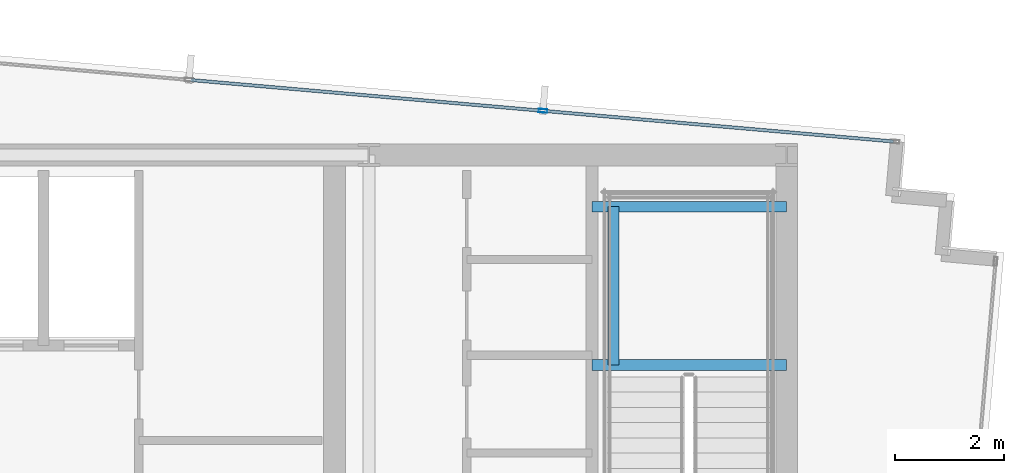
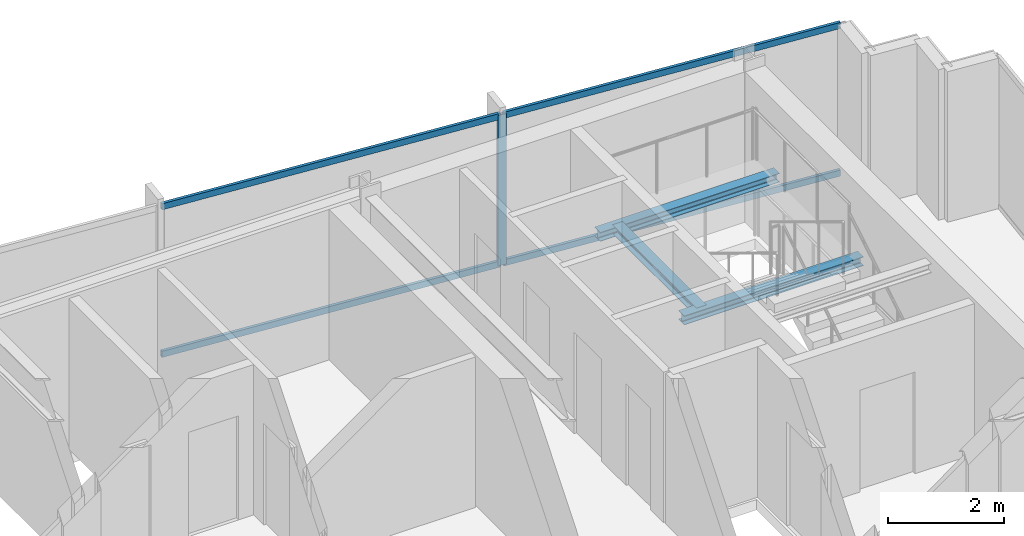
# One storey, part 20 of 32: 5 members, 3 beams, 1 element without a shape of its own.
"""IFC4 building model written with IfcOpenShell, lengths in metres."""

import ifcopenshell
import ifcopenshell.guid

model = None  # the IFC model being written
_history = None  # IfcOwnerHistory: only IFC2X3 demands one
_inside = {}  # id of a spatial element -> (the spatial element, [elements in it])
_under = {}  # id of a project, library or spatial element -> (it, [spatial elements below it])
_declared = {}  # id of a project -> (the project, [libraries it declares])
_typed = {}  # id of a type object -> (the type object, [elements of that type])
_made_of = {}  # id of a material, layer set ... -> (it, [elements and type objects made of it])


def new_model(schema):
    """Start an empty IFC model of exactly this schema.

    Asked for "IFC4X3", IfcOpenShell would pick the latest addendum, in which some entities
    have other attributes; the version numbers below select the first issue.
    IFC2X3 requires an IfcOwnerHistory on every rooted entity: one is made here for all.
    """
    global model, _history
    if schema == "IFC4X3":
        model = ifcopenshell.file(schema_version=(4, 3, 0, 0))
    else:
        model = ifcopenshell.file(schema=schema)
    _inside.clear()
    _under.clear()
    _declared.clear()
    _typed.clear()
    _made_of.clear()
    _history = None
    if model.schema == "IFC2X3":
        org = make("IfcOrganization", Name="unknown")
        user = make(
            "IfcPersonAndOrganization",
            ThePerson=make("IfcPerson", FamilyName="unknown"),
            TheOrganization=org,
        )
        app = make(
            "IfcApplication",
            ApplicationDeveloper=org,
            Version="unknown",
            ApplicationFullName="unknown",
            ApplicationIdentifier="unknown",
        )
        _history = make(
            "IfcOwnerHistory",
            OwningUser=user,
            OwningApplication=app,
            ChangeAction="ADDED",
            CreationDate=0,
        )
    return model


def make(cls, **values):
    """One entity of the class cls with the attributes given. An attribute that is None is left unset."""
    return model.create_entity(
        cls, **{name: value for name, value in values.items() if value is not None}
    )


def rooted(cls, **values):
    """An entity with a GlobalId (a new one), such as an element, a storey or a relation."""
    return make(cls, GlobalId=ifcopenshell.guid.new(), OwnerHistory=_history, **values)


def si_unit(unit_type, name, prefix=None):
    """IfcSIUnit, for example si_unit("LENGTHUNIT", "METRE", prefix="MILLI")."""
    return make("IfcSIUnit", UnitType=unit_type, Prefix=prefix, Name=name)


def assignment(units):
    """IfcUnitAssignment: the units of a project."""
    return None if units is None else make("IfcUnitAssignment", Units=units)


def point(xyz):
    """IfcCartesianPoint."""
    return None if xyz is None else make("IfcCartesianPoint", Coordinates=xyz)


def direction(xyz):
    """IfcDirection."""
    return None if xyz is None else make("IfcDirection", DirectionRatios=xyz)


def frame(location, z_axis=None, x_axis=None):
    """IfcAxis2Placement3D, a coordinate frame: its origin and axes. An axis left out is left unset."""
    return make(
        "IfcAxis2Placement3D",
        Location=point(location),
        Axis=direction(z_axis),
        RefDirection=direction(x_axis),
    )


def frame_2d(location, x_axis=None):
    """IfcAxis2Placement2D, a coordinate frame in the plane: its origin and x axis."""
    return make(
        "IfcAxis2Placement2D", Location=point(location), RefDirection=direction(x_axis)
    )


def origin():
    """The frame at (0, 0, 0) with its axes left unset."""
    return frame((0.0, 0.0, 0.0))


def origin_2d():
    """The frame at (0, 0) in the plane with its x axis left unset."""
    return frame_2d((0.0, 0.0))


def place(relative_to, where):
    """IfcLocalPlacement: puts the frame where relative to a parent placement (None: the world)."""
    return make(
        "IfcLocalPlacement", PlacementRelTo=relative_to, RelativePlacement=where
    )


def context(
    kind, dimensions, precision=None, world=None, true_north=None, identifier=None
):
    """IfcGeometricRepresentationContext, for example the 3D "Model" context."""
    return make(
        "IfcGeometricRepresentationContext",
        ContextIdentifier=identifier,
        ContextType=kind,
        CoordinateSpaceDimension=dimensions,
        Precision=precision,
        WorldCoordinateSystem=world,
        TrueNorth=true_north,
    )


def subcontext(parent, identifier, kind, view, scale=None):
    """IfcGeometricRepresentationSubContext, for example "Body" below "Model"."""
    return make(
        "IfcGeometricRepresentationSubContext",
        ContextIdentifier=identifier,
        ContextType=kind,
        ParentContext=parent,
        TargetScale=scale,
        TargetView=view,
    )


def project(units=None, contexts=None):
    """IfcProject with its units and contexts."""
    return rooted(
        "IfcProject",
        Name="project",
        RepresentationContexts=contexts,
        UnitsInContext=assignment(units),
    )


def spatial(cls, under=None, at=None, **own):
    """A site, building, storey or space (cls), placed at a placement, below another one or the project."""
    s = rooted(cls, ObjectPlacement=at, **own)
    if under is not None:
        _under.setdefault(under.id(), (under, []))[1].append(s)
    return s


def profile(cls, at=None, kind="AREA", **sizes):
    """A parametric profile (cls). Its sizes go by their IFC names, for example OverallWidth=200.0."""
    return make(cls, ProfileType=kind, Position=at, **sizes)


def hollow_rectangle(**sizes):
    """IfcRectangleHollowProfileDef."""
    return profile("IfcRectangleHollowProfileDef", **sizes)


def i_section(**sizes):
    """IfcIShapeProfileDef."""
    return profile("IfcIShapeProfileDef", **sizes)


def extrude(swept, where, along, depth):
    """IfcExtrudedAreaSolid: the profile swept, set in the frame where, extruded along a direction by depth."""
    return make(
        "IfcExtrudedAreaSolid",
        SweptArea=swept,
        Position=where,
        ExtrudedDirection=direction(along),
        Depth=depth,
    )


def shape(context_of_items, identifier, shape_type, items):
    """IfcShapeRepresentation: the items that make up one representation, for example the "Body"."""
    return make(
        "IfcShapeRepresentation",
        ContextOfItems=context_of_items,
        RepresentationIdentifier=identifier,
        RepresentationType=shape_type,
        Items=items,
    )


def material(Name=None, Category=None):
    """IfcMaterial."""
    return make("IfcMaterial", Name=Name, Category=Category)


def material_profile(
    of_material, cross_section, Name=None, Category=None, Priority=None
):
    """IfcMaterialProfile: a cross section and its material."""
    return make(
        "IfcMaterialProfile",
        Name=Name,
        Material=of_material,
        Profile=cross_section,
        Priority=Priority,
        Category=Category,
    )


def profile_set(profiles, Name=None, composite=None):
    """IfcMaterialProfileSet."""
    return make(
        "IfcMaterialProfileSet",
        Name=Name,
        MaterialProfiles=profiles,
        CompositeProfile=composite,
    )


def made_of(thing, what):
    """Note that an element or type object is made of a material, layer set ...; save() writes the relation."""
    if what is not None:
        _made_of.setdefault(what.id(), (what, []))[1].append(thing)
    return thing


def type_object(cls, material=None, **own):
    """A type object (cls), such as IfcWallType, which elements share."""
    return made_of(rooted(cls, **own), material)


def element(
    cls,
    number,
    at=None,
    inside=None,
    cuts=None,
    type_object=None,
    material=None,
    context=None,
    identifier="Body",
    shape_type=None,
    held_by="IfcProductDefinitionShape",
    body=None,
    shapes=None,
    **own,
):
    """One element of the class cls, such as IfcWall. Its Tag is "e" and its number.

    at: its placement. inside: the storey or other place that contains it. cuts: it is an
    opening in that element (IfcRelVoidsElement). A single representation is given by context,
    identifier, shape_type and body (its items); several are given by shapes. held_by: the class
    of the entity that holds the representations. save() writes the other relations.
    """
    e = rooted(cls, Tag="e%d" % number, ObjectPlacement=at, **own)
    if body is not None:
        shapes = [shape(context, identifier, shape_type, body)]
    if shapes is not None:
        e.Representation = make(held_by, Representations=shapes)
    if inside is not None:
        _inside.setdefault(inside.id(), (inside, []))[1].append(e)
    if cuts is not None:
        rooted(
            "IfcRelVoidsElement", RelatingBuildingElement=cuts, RelatedOpeningElement=e
        )
    if type_object is not None:
        _typed.setdefault(type_object.id(), (type_object, []))[1].append(e)
    return made_of(e, material)


def aggregate(whole, parts):
    """IfcRelAggregates: a whole, such as a stair, and the parts it consists of."""
    return rooted("IfcRelAggregates", RelatingObject=whole, RelatedObjects=parts)


def save(model, path):
    """Write the relations noted so far, then the file.

    IfcRelAggregates (storeys below a building ...), IfcRelContainedInSpatialStructure (elements
    in a storey), IfcRelDefinesByType, IfcRelAssociatesMaterial and IfcRelDeclares: one each for
    every whole, place, type object, material and project.
    """
    for whole, parts in _under.values():
        aggregate(whole, parts)
    for where, things in _inside.values():
        rooted(
            "IfcRelContainedInSpatialStructure",
            RelatedElements=things,
            RelatingStructure=where,
        )
    for kind, things in _typed.values():
        rooted("IfcRelDefinesByType", RelatedObjects=things, RelatingType=kind)
    for what, things in _made_of.values():
        rooted("IfcRelAssociatesMaterial", RelatedObjects=things, RelatingMaterial=what)
    for by, libraries in _declared.values():
        rooted("IfcRelDeclares", RelatingContext=by, RelatedDefinitions=libraries)
    model.write(path)


model = new_model("IFC4")

# Units and contexts
model_context = context("Model", 3, precision=1e-05, world=origin(), true_north=direction((0.0, 1.0)))
body_context = subcontext(model_context, "Body", "Model", "MODEL_VIEW")
ifc_project = project(units=[si_unit("LENGTHUNIT", "METRE"), si_unit("AREAUNIT", "SQUARE_METRE"), si_unit("VOLUMEUNIT", "CUBIC_METRE"), si_unit("PLANEANGLEUNIT", "RADIAN"), si_unit("MASSUNIT", "GRAM", prefix="KILO")], contexts=[model_context])

# Site, building, storey
site_placement = place(None, origin())
site = spatial("IfcSite", under=ifc_project, at=site_placement, CompositionType="ELEMENT")
building_placement = place(site_placement, origin())
building = spatial("IfcBuilding", under=site, at=building_placement, Name="Yelkora Congress Tower", CompositionType="ELEMENT")
storey_placement = place(building_placement, frame((0.0, 0.0, 269.300048828125)))
storey = spatial("IfcBuildingStorey", under=building, at=storey_placement, Name="L75", CompositionType="ELEMENT", Elevation=269.300048828125)

# Beams
ifc_material_1 = material(Name="Steel S355J2", Category="steel")
ifc_material_profile_1 = material_profile(ifc_material_1, i_section(OverallWidth=0.199951171875, OverallDepth=0.18994140625, WebThickness=0.006591796875, FlangeThickness=0.010009765625, FilletRadius=0.01806640625, at=origin_2d()), Name="HEA 200")
ifc_profile_set_1 = profile_set([ifc_material_profile_1], Name="Steel S355J2")
beam_type = type_object("IfcBeamType", Name="BM-LAND-HEA200", PredefinedType="BEAM", material=ifc_profile_set_1)
for number, where, z_axis, x_axis, name in (
    (1, (50.179931640625, 42.340087890625, 1.384521484375), (1.0, 0.0, 0.0), (0.0, 1.0, 0.0), "ST-02 L75 Landing Header Beam 1S"),
    (2, (50.179931640625, 45.25, 1.384521484375), (1.0, 0.0, 0.0), (0.0, 1.0, 0.0), "ST-02 L75 Landing Header Beam 1N"),
):
    element("IfcBeam", number, at=place(storey_placement, frame(where, z_axis=z_axis, x_axis=x_axis)), inside=storey, type_object=beam_type, Name=name, PredefinedType="BEAM", context=body_context, shape_type="SweptSolid", body=[
        extrude(i_section(OverallWidth=0.199951171875, OverallDepth=0.18994140625, WebThickness=0.006591796875, FlangeThickness=0.010009765625, FilletRadius=0.01806640625, at=origin_2d()), origin(), (0.0, 0.0, 1.0), 3.580078125),
    ])
beam_placement = place(storey_placement, frame((50.580078125, 42.340087890625, 1.384521484375), z_axis=(0.0, 1.0, 0.0), x_axis=(-1.0, 0.0, 0.0)))
element("IfcBeam", 3, at=beam_placement, inside=storey, type_object=beam_type, Name="ST-02 L75 Landing Trimmer Beam 1M", PredefinedType="BEAM", context=body_context, shape_type="SweptSolid", body=[
    extrude(i_section(OverallWidth=0.199951171875, OverallDepth=0.18994140625, WebThickness=0.006591796875, FlangeThickness=0.010009765625, FilletRadius=0.01806640625, at=origin_2d()), origin(), (0.0, 0.0, 1.0), 2.909912109375),
])

# Curtain wall, members
ifc_material_2 = material(Name="Anodised aluminium and insulated glass", Category="aluminium")
curtain_wall_type = type_object("IfcCurtainWallType", Name="CW-SYS-B5", PredefinedType="NOTDEFINED", material=ifc_material_2)
curtain_wall_placement = place(storey_placement, origin())
curtain_wall = element("IfcCurtainWall", 4, at=curtain_wall_placement, inside=storey, type_object=curtain_wall_type, Name="L75 Unitised Curtain Wall 10", PredefinedType="NOTDEFINED")
ifc_material_3 = material(Name="Anodised aluminium 6063-T6", Category="aluminium")
ifc_material_profile_2 = material_profile(ifc_material_3, hollow_rectangle(XDim=0.06494140625, YDim=0.159912109375, WallThickness=0.00390625, at=origin_2d()), Name="ALU 65x160x4")
ifc_profile_set_2 = profile_set([ifc_material_profile_2], Name="Anodised aluminium 6063-T6")
member_type_1 = type_object("IfcMemberType", Name="MEM-ML-B5", PredefinedType="MULLION", material=ifc_profile_set_2)
member_1_placement = place(storey_placement, frame((49.279541015625, 47.01220703125, 0.0), z_axis=(0.0, 0.0, 1.0), x_axis=(0.087156639893, 0.996194619601, 0.0)))
member_1 = element("IfcMember", 5, at=member_1_placement, type_object=member_type_1, Name="CW-B5 mullion 7", PredefinedType="MULLION", context=body_context, shape_type="SweptSolid", body=[
    extrude(hollow_rectangle(XDim=0.06494140625, YDim=0.159912109375, WallThickness=0.00390625, at=origin_2d()), origin(), (0.0, 0.0, 1.0), 3.179931640625),
])
ifc_material_profile_3 = material_profile(ifc_material_3, hollow_rectangle(XDim=0.06005859375, YDim=0.1298828125, WallThickness=0.00390625, at=origin_2d()), Name="ALU 60x130x4")
ifc_profile_set_3 = profile_set([ifc_material_profile_3], Name="Anodised aluminium 6063-T6")
member_type_2 = type_object("IfcMemberType", Name="MEM-TR-B5", PredefinedType="USERDEFINED", material=ifc_profile_set_3)
member_2_placement = place(storey_placement, frame((42.80517578125, 47.57861328125, 0.030029296875), z_axis=(0.996196257862, -0.087137912649, 0.0), x_axis=(0.087137912649, 0.996196257862, 0.0)))
member_2 = element("IfcMember", 6, at=member_2_placement, type_object=member_type_2, Name="CW-B5 transom 6.1", ObjectType="TRANSOM", PredefinedType="USERDEFINED", context=body_context, shape_type="SweptSolid", body=[
    extrude(hollow_rectangle(XDim=0.06005859375, YDim=0.1298828125, WallThickness=0.00390625, at=origin_2d()), origin(), (0.0, 0.0, 1.0), 6.466552734375),
])
member_3_placement = place(storey_placement, frame((42.80517578125, 47.57861328125, 3.14990234375), z_axis=(0.996196257862, -0.087137912649, 0.0), x_axis=(0.087137912649, 0.996196257862, 0.0)))
member_3 = element("IfcMember", 7, at=member_3_placement, type_object=member_type_2, Name="CW-B5 transom 6.2", ObjectType="TRANSOM", PredefinedType="USERDEFINED", context=body_context, shape_type="SweptSolid", body=[
    extrude(hollow_rectangle(XDim=0.06005859375, YDim=0.1298828125, WallThickness=0.00390625, at=origin_2d()), origin(), (0.0, 0.0, 1.0), 6.466552734375),
])
member_4_placement = place(storey_placement, frame((49.311767578125, 47.009521484375, 0.030029296875), z_axis=(0.996194170551, -0.08716177236, 0.0), x_axis=(0.08716177236, 0.996194170551, 0.0)))
member_4 = element("IfcMember", 8, at=member_4_placement, type_object=member_type_2, Name="CW-B5 transom 7.1", ObjectType="TRANSOM", PredefinedType="USERDEFINED", context=body_context, shape_type="SweptSolid", body=[
    extrude(hollow_rectangle(XDim=0.06005859375, YDim=0.1298828125, WallThickness=0.00390625, at=origin_2d()), origin(), (0.0, 0.0, 1.0), 6.433837890625),
])
member_5_placement = place(storey_placement, frame((49.311767578125, 47.009521484375, 3.14990234375), z_axis=(0.996194170551, -0.08716177236, 0.0), x_axis=(0.08716177236, 0.996194170551, 0.0)))
member_5 = element("IfcMember", 9, at=member_5_placement, type_object=member_type_2, Name="CW-B5 transom 7.2", ObjectType="TRANSOM", PredefinedType="USERDEFINED", context=body_context, shape_type="SweptSolid", body=[
    extrude(hollow_rectangle(XDim=0.06005859375, YDim=0.1298828125, WallThickness=0.00390625, at=origin_2d()), origin(), (0.0, 0.0, 1.0), 6.433837890625),
])
aggregate(curtain_wall, [member_1, member_2, member_3, member_4, member_5])

save(model, "model.ifc")
